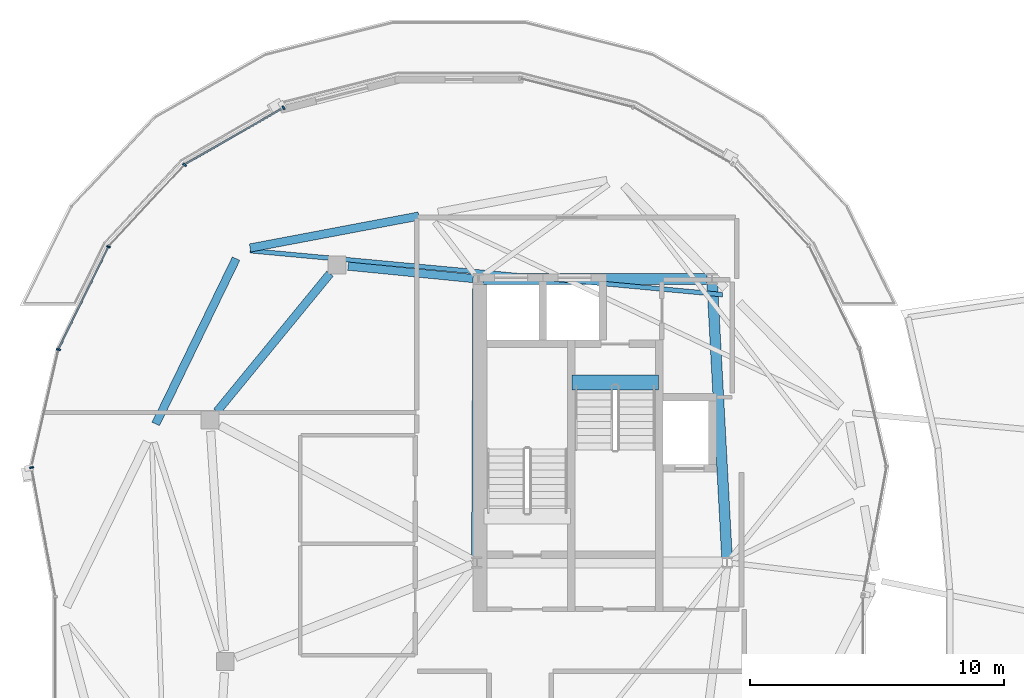
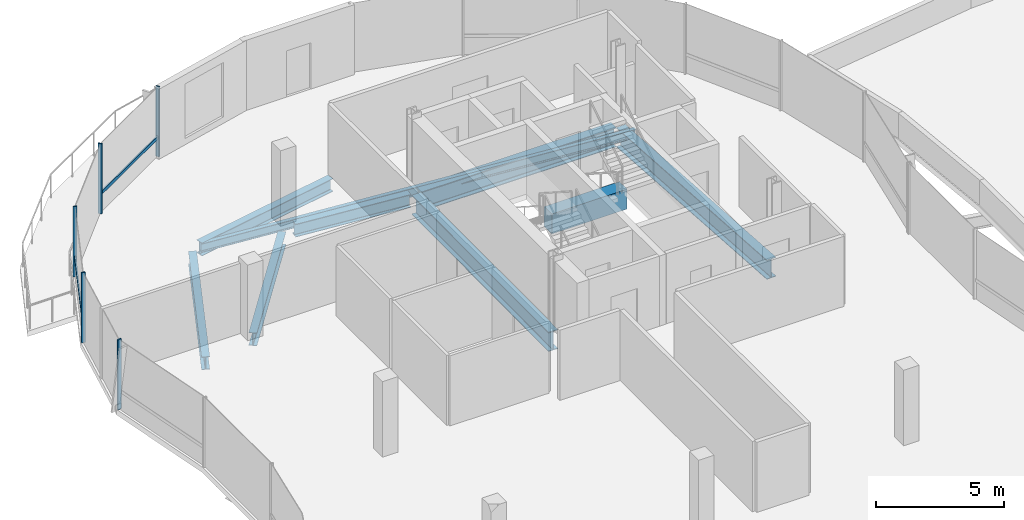
# One storey, part 9 of 31: 9 beams, 7 members, 1 element without a shape of its own.
"""IFC4 building model written with IfcOpenShell, lengths in metres."""

import ifcopenshell
import ifcopenshell.guid

model = None  # the IFC model being written
_history = None  # IfcOwnerHistory: only IFC2X3 demands one
_inside = {}  # id of a spatial element -> (the spatial element, [elements in it])
_under = {}  # id of a project, library or spatial element -> (it, [spatial elements below it])
_declared = {}  # id of a project -> (the project, [libraries it declares])
_typed = {}  # id of a type object -> (the type object, [elements of that type])
_made_of = {}  # id of a material, layer set ... -> (it, [elements and type objects made of it])


def new_model(schema):
    """Start an empty IFC model of exactly this schema.

    Asked for "IFC4X3", IfcOpenShell would pick the latest addendum, in which some entities
    have other attributes; the version numbers below select the first issue.
    IFC2X3 requires an IfcOwnerHistory on every rooted entity: one is made here for all.
    """
    global model, _history
    if schema == "IFC4X3":
        model = ifcopenshell.file(schema_version=(4, 3, 0, 0))
    else:
        model = ifcopenshell.file(schema=schema)
    _inside.clear()
    _under.clear()
    _declared.clear()
    _typed.clear()
    _made_of.clear()
    _history = None
    if model.schema == "IFC2X3":
        org = make("IfcOrganization", Name="unknown")
        user = make(
            "IfcPersonAndOrganization",
            ThePerson=make("IfcPerson", FamilyName="unknown"),
            TheOrganization=org,
        )
        app = make(
            "IfcApplication",
            ApplicationDeveloper=org,
            Version="unknown",
            ApplicationFullName="unknown",
            ApplicationIdentifier="unknown",
        )
        _history = make(
            "IfcOwnerHistory",
            OwningUser=user,
            OwningApplication=app,
            ChangeAction="ADDED",
            CreationDate=0,
        )
    return model


def make(cls, **values):
    """One entity of the class cls with the attributes given. An attribute that is None is left unset."""
    return model.create_entity(
        cls, **{name: value for name, value in values.items() if value is not None}
    )


def rooted(cls, **values):
    """An entity with a GlobalId (a new one), such as an element, a storey or a relation."""
    return make(cls, GlobalId=ifcopenshell.guid.new(), OwnerHistory=_history, **values)


def si_unit(unit_type, name, prefix=None):
    """IfcSIUnit, for example si_unit("LENGTHUNIT", "METRE", prefix="MILLI")."""
    return make("IfcSIUnit", UnitType=unit_type, Prefix=prefix, Name=name)


def assignment(units):
    """IfcUnitAssignment: the units of a project."""
    return None if units is None else make("IfcUnitAssignment", Units=units)


def point(xyz):
    """IfcCartesianPoint."""
    return None if xyz is None else make("IfcCartesianPoint", Coordinates=xyz)


def direction(xyz):
    """IfcDirection."""
    return None if xyz is None else make("IfcDirection", DirectionRatios=xyz)


def frame(location, z_axis=None, x_axis=None):
    """IfcAxis2Placement3D, a coordinate frame: its origin and axes. An axis left out is left unset."""
    return make(
        "IfcAxis2Placement3D",
        Location=point(location),
        Axis=direction(z_axis),
        RefDirection=direction(x_axis),
    )


def frame_2d(location, x_axis=None):
    """IfcAxis2Placement2D, a coordinate frame in the plane: its origin and x axis."""
    return make(
        "IfcAxis2Placement2D", Location=point(location), RefDirection=direction(x_axis)
    )


def origin():
    """The frame at (0, 0, 0) with its axes left unset."""
    return frame((0.0, 0.0, 0.0))


def origin_2d():
    """The frame at (0, 0) in the plane with its x axis left unset."""
    return frame_2d((0.0, 0.0))


def place(relative_to, where):
    """IfcLocalPlacement: puts the frame where relative to a parent placement (None: the world)."""
    return make(
        "IfcLocalPlacement", PlacementRelTo=relative_to, RelativePlacement=where
    )


def context(
    kind, dimensions, precision=None, world=None, true_north=None, identifier=None
):
    """IfcGeometricRepresentationContext, for example the 3D "Model" context."""
    return make(
        "IfcGeometricRepresentationContext",
        ContextIdentifier=identifier,
        ContextType=kind,
        CoordinateSpaceDimension=dimensions,
        Precision=precision,
        WorldCoordinateSystem=world,
        TrueNorth=true_north,
    )


def subcontext(parent, identifier, kind, view, scale=None):
    """IfcGeometricRepresentationSubContext, for example "Body" below "Model"."""
    return make(
        "IfcGeometricRepresentationSubContext",
        ContextIdentifier=identifier,
        ContextType=kind,
        ParentContext=parent,
        TargetScale=scale,
        TargetView=view,
    )


def project(units=None, contexts=None):
    """IfcProject with its units and contexts."""
    return rooted(
        "IfcProject",
        Name="project",
        RepresentationContexts=contexts,
        UnitsInContext=assignment(units),
    )


def spatial(cls, under=None, at=None, **own):
    """A site, building, storey or space (cls), placed at a placement, below another one or the project."""
    s = rooted(cls, ObjectPlacement=at, **own)
    if under is not None:
        _under.setdefault(under.id(), (under, []))[1].append(s)
    return s


def profile(cls, at=None, kind="AREA", **sizes):
    """A parametric profile (cls). Its sizes go by their IFC names, for example OverallWidth=200.0."""
    return make(cls, ProfileType=kind, Position=at, **sizes)


def rectangle(**sizes):
    """IfcRectangleProfileDef."""
    return profile("IfcRectangleProfileDef", **sizes)


def i_section(**sizes):
    """IfcIShapeProfileDef."""
    return profile("IfcIShapeProfileDef", **sizes)


def extrude(swept, where, along, depth):
    """IfcExtrudedAreaSolid: the profile swept, set in the frame where, extruded along a direction by depth."""
    return make(
        "IfcExtrudedAreaSolid",
        SweptArea=swept,
        Position=where,
        ExtrudedDirection=direction(along),
        Depth=depth,
    )


def shape(context_of_items, identifier, shape_type, items):
    """IfcShapeRepresentation: the items that make up one representation, for example the "Body"."""
    return make(
        "IfcShapeRepresentation",
        ContextOfItems=context_of_items,
        RepresentationIdentifier=identifier,
        RepresentationType=shape_type,
        Items=items,
    )


def material(Name=None, Category=None):
    """IfcMaterial."""
    return make("IfcMaterial", Name=Name, Category=Category)


def material_profile(
    of_material, cross_section, Name=None, Category=None, Priority=None
):
    """IfcMaterialProfile: a cross section and its material."""
    return make(
        "IfcMaterialProfile",
        Name=Name,
        Material=of_material,
        Profile=cross_section,
        Priority=Priority,
        Category=Category,
    )


def profile_set(profiles, Name=None, composite=None):
    """IfcMaterialProfileSet."""
    return make(
        "IfcMaterialProfileSet",
        Name=Name,
        MaterialProfiles=profiles,
        CompositeProfile=composite,
    )


def made_of(thing, what):
    """Note that an element or type object is made of a material, layer set ...; save() writes the relation."""
    if what is not None:
        _made_of.setdefault(what.id(), (what, []))[1].append(thing)
    return thing


def type_object(cls, material=None, **own):
    """A type object (cls), such as IfcWallType, which elements share."""
    return made_of(rooted(cls, **own), material)


def element(
    cls,
    number,
    at=None,
    inside=None,
    cuts=None,
    type_object=None,
    material=None,
    context=None,
    identifier="Body",
    shape_type=None,
    held_by="IfcProductDefinitionShape",
    body=None,
    shapes=None,
    **own,
):
    """One element of the class cls, such as IfcWall. Its Tag is "e" and its number.

    at: its placement. inside: the storey or other place that contains it. cuts: it is an
    opening in that element (IfcRelVoidsElement). A single representation is given by context,
    identifier, shape_type and body (its items); several are given by shapes. held_by: the class
    of the entity that holds the representations. save() writes the other relations.
    """
    e = rooted(cls, Tag="e%d" % number, ObjectPlacement=at, **own)
    if body is not None:
        shapes = [shape(context, identifier, shape_type, body)]
    if shapes is not None:
        e.Representation = make(held_by, Representations=shapes)
    if inside is not None:
        _inside.setdefault(inside.id(), (inside, []))[1].append(e)
    if cuts is not None:
        rooted(
            "IfcRelVoidsElement", RelatingBuildingElement=cuts, RelatedOpeningElement=e
        )
    if type_object is not None:
        _typed.setdefault(type_object.id(), (type_object, []))[1].append(e)
    return made_of(e, material)


def aggregate(whole, parts):
    """IfcRelAggregates: a whole, such as a stair, and the parts it consists of."""
    return rooted("IfcRelAggregates", RelatingObject=whole, RelatedObjects=parts)


def save(model, path):
    """Write the relations noted so far, then the file.

    IfcRelAggregates (storeys below a building ...), IfcRelContainedInSpatialStructure (elements
    in a storey), IfcRelDefinesByType, IfcRelAssociatesMaterial and IfcRelDeclares: one each for
    every whole, place, type object, material and project.
    """
    for whole, parts in _under.values():
        aggregate(whole, parts)
    for where, things in _inside.values():
        rooted(
            "IfcRelContainedInSpatialStructure",
            RelatedElements=things,
            RelatingStructure=where,
        )
    for kind, things in _typed.values():
        rooted("IfcRelDefinesByType", RelatedObjects=things, RelatingType=kind)
    for what, things in _made_of.values():
        rooted("IfcRelAssociatesMaterial", RelatedObjects=things, RelatingMaterial=what)
    for by, libraries in _declared.values():
        rooted("IfcRelDeclares", RelatingContext=by, RelatedDefinitions=libraries)
    model.write(path)


model = new_model("IFC4")

# Units and contexts
model_context = context("Model", 3, precision=1e-05, world=origin(), true_north=direction((0.0, 1.0)))
body_context = subcontext(model_context, "Body", "Model", "MODEL_VIEW")
ifc_project = project(units=[si_unit("LENGTHUNIT", "METRE"), si_unit("AREAUNIT", "SQUARE_METRE"), si_unit("VOLUMEUNIT", "CUBIC_METRE"), si_unit("PLANEANGLEUNIT", "RADIAN"), si_unit("MASSUNIT", "GRAM", prefix="KILO"), si_unit("THERMODYNAMICTEMPERATUREUNIT", "KELVIN"), si_unit("POWERUNIT", "WATT")], contexts=[model_context])

# Site, building, storey
site_placement = place(None, origin())
site = spatial("IfcSite", under=ifc_project, at=site_placement, CompositionType="ELEMENT")
building_placement = place(site_placement, origin())
building = spatial("IfcBuilding", under=site, at=building_placement, Name="Cundina Bronze Exchange", CompositionType="ELEMENT")
storey_placement = place(building_placement, frame((0.0, 0.0, 275.60009765625)))
storey = spatial("IfcBuildingStorey", under=building, at=storey_placement, Name="L73", CompositionType="ELEMENT", Elevation=275.60009765625)

# Beams
ifc_material_1 = material(Name="Concrete C60/75", Category="concrete")
ifc_material_profile_1 = material_profile(ifc_material_1, rectangle(XDim=0.60009765625, YDim=0.949951171875, at=origin_2d()), Name="RC600X950", Category="concrete")
ifc_profile_set_1 = profile_set([ifc_material_profile_1], Name="Concrete C60/75")
beam_type_1 = type_object("IfcBeamType", Name="BM-COUP-RC950", PredefinedType="LINTEL", material=ifc_profile_set_1)
beam_1_placement = place(storey_placement, frame((-27.56005859375, 10.97998046875, -0.47509765625), z_axis=(1.0, 0.0, 0.0), x_axis=(0.0, 1.0, 0.0)))
element("IfcBeam", 1, at=beam_1_placement, inside=storey, type_object=beam_type_1, Name="L73 Stair W2 Landing Header Beam", PredefinedType="LINTEL", context=body_context, shape_type="SweptSolid", body=[
    extrude(rectangle(XDim=0.60009765625, YDim=0.949951171875, at=origin_2d()), origin(), (0.0, 0.0, 1.0), 3.400146484375),
])
ifc_material_2 = material(Name="Steel ASTM A992 Grade 50", Category="steel")
ifc_material_profile_2 = material_profile(ifc_material_2, i_section(OverallWidth=0.178955078125, OverallDepth=0.409912109375, WebThickness=0.0087890625, FlangeThickness=0.014404296875, FilletRadius=0.010986328125, at=origin_2d()), Name="W16X45", Category="steel")
ifc_profile_set_2 = profile_set([ifc_material_profile_2], Name="Steel ASTM A992 Grade 50")
beam_type_2 = type_object("IfcBeamType", Name="BM-JST-W16", PredefinedType="JOIST", material=ifc_profile_set_2)
beam_2_placement = place(storey_placement, frame((-21.63623046875, 14.435791015625, -0.465087890625), z_axis=(-0.995700514338, 0.092630911398, 0.0), x_axis=(-0.092630911398, -0.995700514338, 0.0)))
element("IfcBeam", 2, at=beam_2_placement, inside=storey, type_object=beam_type_2, Name="L73 Leg W Lobe Floor Joist 03-06", PredefinedType="JOIST", context=body_context, shape_type="SweptSolid", body=[
    extrude(i_section(OverallWidth=0.178955078125, OverallDepth=0.409912109375, WebThickness=0.0087890625, FlangeThickness=0.014404296875, FilletRadius=0.010986328125, at=origin_2d()), origin(), (0.0, 0.0, 1.0), 18.65771484375),
])
ifc_material_profile_3 = material_profile(ifc_material_2, i_section(OverallWidth=0.324951171875, OverallDepth=0.615966796875, WebThickness=0.013916015625, FlangeThickness=0.021484375, FilletRadius=0.01611328125, at=origin_2d()), Name="W24X117", Category="steel")
ifc_profile_set_3 = profile_set([ifc_material_profile_3], Name="Steel ASTM A992 Grade 50")
beam_type_3 = type_object("IfcBeamType", Name="BM-RING-W24", PredefinedType="USERDEFINED", material=ifc_profile_set_3)
beam_3_placement = place(storey_placement, frame((-31.445068359375, 15.0693359375, -0.568115234375), z_axis=(-0.995123854478, 0.09863323096, 0.0), x_axis=(-0.09863323096, -0.995123854478, 0.0)))
element("IfcBeam", 3, at=beam_3_placement, inside=storey, type_object=beam_type_3, Name="L73 W Inner Structural Ring Girder 01", ObjectType="GIRDER", PredefinedType="USERDEFINED", context=body_context, shape_type="SweptSolid", body=[
    extrude(i_section(OverallWidth=0.324951171875, OverallDepth=0.615966796875, WebThickness=0.013916015625, FlangeThickness=0.021484375, FilletRadius=0.01611328125, at=origin_2d()), origin(), (0.0, 0.0, 1.0), 4.943115234375),
])
beam_4_placement = place(storey_placement, frame((-37.07763671875, 15.26123046875, -0.568115234375), z_axis=(-0.633912590175, -0.77340469873, 0.0), x_axis=(0.77340469873, -0.633912590175, 0.0)))
element("IfcBeam", 4, at=beam_4_placement, inside=storey, type_object=beam_type_3, Name="L73 W Inner Structural Ring Girder 02", ObjectType="GIRDER", PredefinedType="USERDEFINED", context=body_context, shape_type="SweptSolid", body=[
    extrude(i_section(OverallWidth=0.324951171875, OverallDepth=0.615966796875, WebThickness=0.013916015625, FlangeThickness=0.021484375, FilletRadius=0.01611328125, at=origin_2d()), origin(), (0.0, 0.0, 1.0), 7.01123046875),
])
beam_5_placement = place(storey_placement, frame((-33.581298828125, 17.52783203125, -0.568115234375), z_axis=(-0.982573456977, -0.185874693392, 0.0), x_axis=(0.185874693392, -0.982573456977, 0.0)))
element("IfcBeam", 5, at=beam_5_placement, inside=storey, type_object=beam_type_3, Name="L73 W Perimeter Ring Girder 05", ObjectType="GIRDER", PredefinedType="USERDEFINED", context=body_context, shape_type="SweptSolid", body=[
    extrude(i_section(OverallWidth=0.324951171875, OverallDepth=0.615966796875, WebThickness=0.013916015625, FlangeThickness=0.021484375, FilletRadius=0.01611328125, at=origin_2d()), origin(), (0.0, 0.0, 1.0), 6.755126953125),
])
beam_6_placement = place(storey_placement, frame((-40.76953125, 15.85107421875, -0.568115234375), z_axis=(-0.437216986791, -0.899356050995, 0.0), x_axis=(0.899356050995, -0.437216986791, 0.0)))
element("IfcBeam", 6, at=beam_6_placement, inside=storey, type_object=beam_type_3, Name="L73 W Perimeter Ring Girder 06", ObjectType="GIRDER", PredefinedType="USERDEFINED", context=body_context, shape_type="SweptSolid", body=[
    extrude(i_section(OverallWidth=0.324951171875, OverallDepth=0.615966796875, WebThickness=0.013916015625, FlangeThickness=0.021484375, FilletRadius=0.01611328125, at=origin_2d()), origin(), (0.0, 0.0, 1.0), 7.2294921875),
])
ifc_material_profile_4 = material_profile(ifc_material_2, i_section(OverallWidth=0.41796875, OverallDepth=0.927001953125, WebThickness=0.019287109375, FlangeThickness=0.031982421875, FilletRadius=0.02392578125, at=origin_2d()), Name="W36X231", Category="steel")
ifc_profile_set_4 = profile_set([ifc_material_profile_4], Name="Steel ASTM A992 Grade 50")
beam_type_4 = type_object("IfcBeamType", Name="BM-WRN-W36B", PredefinedType="USERDEFINED", material=ifc_profile_set_4)
beam_7_placement = place(storey_placement, frame((-21.46044921875, 4.095703125, -0.7236328125), z_axis=(-0.053749317644, 0.998554460634, 0.0), x_axis=(-0.998554460634, -0.053749317644, 0.0)))
element("IfcBeam", 7, at=beam_7_placement, inside=storey, type_object=beam_type_4, Name="L73 W Core Perimeter Tie Girder 2", ObjectType="GIRDER", PredefinedType="USERDEFINED", context=body_context, shape_type="SweptSolid", body=[
    extrude(i_section(OverallWidth=0.41796875, OverallDepth=0.927001953125, WebThickness=0.019287109375, FlangeThickness=0.031982421875, FilletRadius=0.02392578125, at=origin_2d()), origin(), (0.0, 0.0, 1.0), 10.774169921875),
])
beam_8_placement = place(storey_placement, frame((-22.24609375, 15.050048828125, -0.7236328125), z_axis=(-1.0, 0.0, 0.0), x_axis=(0.0, -1.0, 0.0)))
element("IfcBeam", 8, at=beam_8_placement, inside=storey, type_object=beam_type_4, Name="L73 W Core Perimeter Tie Girder 3", ObjectType="GIRDER", PredefinedType="USERDEFINED", context=body_context, shape_type="SweptSolid", body=[
    extrude(i_section(OverallWidth=0.41796875, OverallDepth=0.927001953125, WebThickness=0.019287109375, FlangeThickness=0.031982421875, FilletRadius=0.02392578125, at=origin_2d()), origin(), (0.0, 0.0, 1.0), 8.807861328125),
])
beam_9_placement = place(storey_placement, frame((-31.2509765625, 14.85400390625, -0.7236328125), z_axis=(-0.004470623654, -0.999990006712, 0.0), x_axis=(0.999990006712, -0.004470623654, 0.0)))
element("IfcBeam", 9, at=beam_9_placement, inside=storey, type_object=beam_type_4, Name="L73 W Core Perimeter Tie Girder 4", ObjectType="GIRDER", PredefinedType="USERDEFINED", context=body_context, shape_type="SweptSolid", body=[
    extrude(i_section(OverallWidth=0.41796875, OverallDepth=0.927001953125, WebThickness=0.019287109375, FlangeThickness=0.031982421875, FilletRadius=0.02392578125, at=origin_2d()), origin(), (0.0, 0.0, 1.0), 10.758056640625),
])

# Curtain wall, members
ifc_material_3 = material(Name="Anodised Bronze Aluminium 6063-T6", Category="aluminium")
curtain_wall_type = type_object("IfcCurtainWallType", Name="CWS-CRN-TMD", PredefinedType="NOTDEFINED", material=ifc_material_3)
curtain_wall_placement = place(storey_placement, origin())
curtain_wall = element("IfcCurtainWall", 10, at=curtain_wall_placement, inside=storey, type_object=curtain_wall_type, Name="L73 CW-07 Curtain Wall Run CWR-L73-W2", PredefinedType="NOTDEFINED")
ifc_material_profile_5 = material_profile(ifc_material_3, rectangle(XDim=0.06494140625, YDim=0.159912109375, at=origin_2d()), Name="AL65X160", Category="aluminium")
ifc_profile_set_5 = profile_set([ifc_material_profile_5], Name="Anodised Bronze Aluminium 6063-T6")
member_type_1 = type_object("IfcMemberType", Name="CWM-MUL-160", PredefinedType="MULLION", material=ifc_profile_set_5)
member_1_placement = place(storey_placement, frame((-38.902587890625, 21.78857421875, 0.0), z_axis=(0.0, 0.0, 1.0), x_axis=(-0.867418288651, -0.497579654441, 0.0)))
member_1 = element("IfcMember", 11, at=member_1_placement, type_object=member_type_1, Name="CW-07 Mullion 1", PredefinedType="MULLION", context=body_context, shape_type="SweptSolid", body=[
    extrude(rectangle(XDim=0.06494140625, YDim=0.159912109375, at=origin_2d()), origin(), (0.0, 0.0, 1.0), 3.33984375),
])
member_2_placement = place(storey_placement, frame((-42.80078125, 19.54248046875, 0.0), z_axis=(0.0, 0.0, 1.0), x_axis=(-0.681487612702, -0.731829648029, 0.0)))
member_2 = element("IfcMember", 12, at=member_2_placement, type_object=member_type_1, Name="CW-07 Mullion 2", PredefinedType="MULLION", context=body_context, shape_type="SweptSolid", body=[
    extrude(rectangle(XDim=0.06494140625, YDim=0.159912109375, at=origin_2d()), origin(), (0.0, 0.0, 1.0), 3.33984375),
])
member_3_placement = place(storey_placement, frame((-45.789306640625, 16.3203125, 0.0), z_axis=(0.0, 0.0, 1.0), x_axis=(-0.439468903432, -0.898257804261, 0.0)))
member_3 = element("IfcMember", 13, at=member_3_placement, type_object=member_type_1, Name="CW-07 Mullion 3", PredefinedType="MULLION", context=body_context, shape_type="SweptSolid", body=[
    extrude(rectangle(XDim=0.06494140625, YDim=0.159912109375, at=origin_2d()), origin(), (0.0, 0.0, 1.0), 3.33984375),
])
member_4_placement = place(storey_placement, frame((-47.7587890625, 12.2763671875, 0.0), z_axis=(0.0, 0.0, 1.0), x_axis=(-0.223930573241, -0.974605098677, 0.0)))
member_4 = element("IfcMember", 14, at=member_4_placement, type_object=member_type_1, Name="CW-07 Mullion 4", PredefinedType="MULLION", context=body_context, shape_type="SweptSolid", body=[
    extrude(rectangle(XDim=0.06494140625, YDim=0.159912109375, at=origin_2d()), origin(), (0.0, 0.0, 1.0), 3.33984375),
])
member_5_placement = place(storey_placement, frame((-48.8154296875, 7.635498046875, 0.0), z_axis=(0.0, 0.0, 1.0), x_axis=(0.181549039717, -0.983381892338, 0.0)))
member_5 = element("IfcMember", 15, at=member_5_placement, type_object=member_type_1, Name="CW-07 Mullion 5", PredefinedType="MULLION", context=body_context, shape_type="SweptSolid", body=[
    extrude(rectangle(XDim=0.06494140625, YDim=0.159912109375, at=origin_2d()), origin(), (0.0, 0.0, 1.0), 3.33984375),
])
ifc_material_profile_6 = material_profile(ifc_material_3, rectangle(XDim=0.06494140625, YDim=0.14990234375, at=origin_2d()), Name="AL65X150", Category="aluminium")
ifc_profile_set_6 = profile_set([ifc_material_profile_6], Name="Anodised Bronze Aluminium 6063-T6")
member_type_2 = type_object("IfcMemberType", Name="CWM-TRN-150", PredefinedType="USERDEFINED", material=ifc_profile_set_6)
member_6_placement = place(storey_placement, frame((-38.93359375, 21.770751953125, 0.919921875), z_axis=(-0.867467147117, -0.497494470997, 0.0), x_axis=(0.497494470997, -0.867467147117, 0.0)))
member_6 = element("IfcMember", 16, at=member_6_placement, type_object=member_type_2, Name="CW-07 Spandrel Transom 1", ObjectType="TRANSOM", PredefinedType="USERDEFINED", context=body_context, shape_type="SweptSolid", body=[
    extrude(rectangle(XDim=0.06494140625, YDim=0.14990234375, at=origin_2d()), origin(), (0.0, 0.0, 1.0), 4.439697265625),
])
member_7_placement = place(storey_placement, frame((-45.804931640625, 16.2880859375, 0.919921875), z_axis=(-0.439416660299, -0.898283362114, 0.0), x_axis=(0.898283362114, -0.439416660299, 0.0)))
member_7 = element("IfcMember", 17, at=member_7_placement, type_object=member_type_2, Name="CW-07 Spandrel Transom 3", ObjectType="TRANSOM", PredefinedType="USERDEFINED", context=body_context, shape_type="SweptSolid", body=[
    extrude(rectangle(XDim=0.06494140625, YDim=0.14990234375, at=origin_2d()), origin(), (0.0, 0.0, 1.0), 4.430908203125),
])
aggregate(curtain_wall, [member_1, member_6, member_2, member_3, member_7, member_4, member_5])

save(model, "model.ifc")
